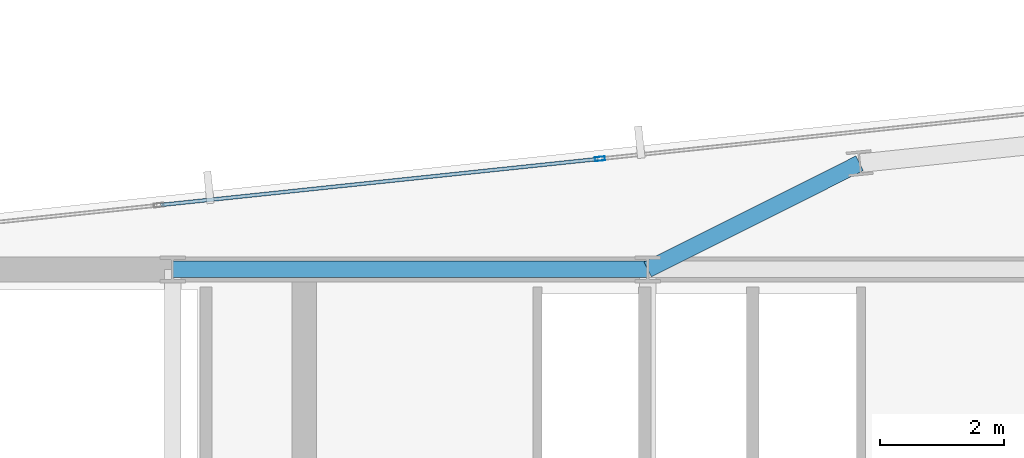
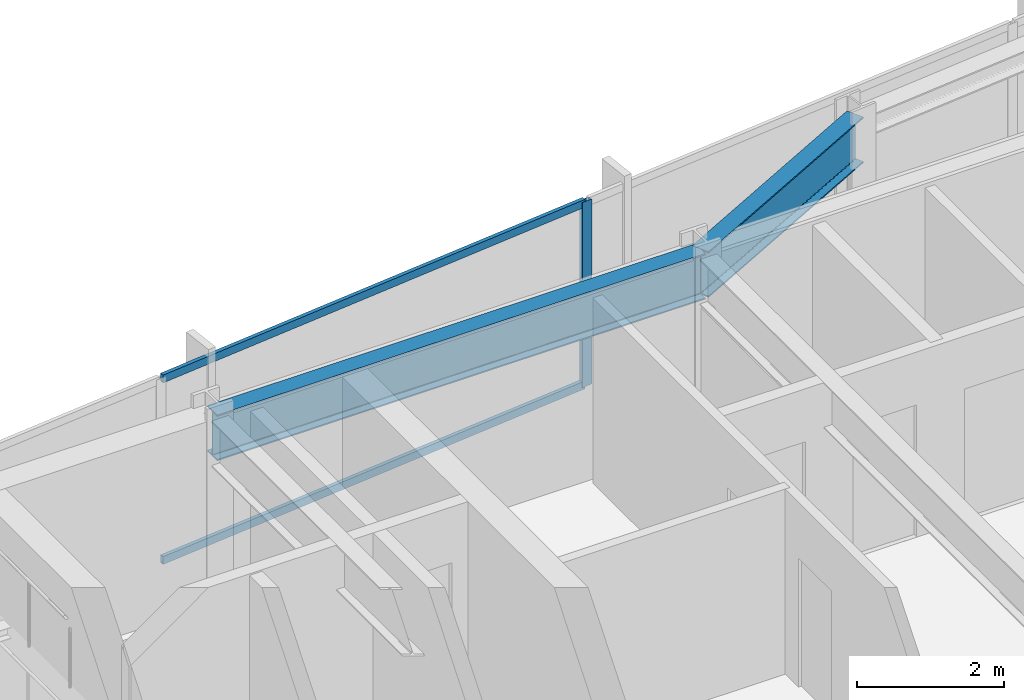
# One storey, part 21 of 32: 3 members, 2 beams, 1 element without a shape of its own.
"""IFC4 building model written with IfcOpenShell, lengths in metres."""

from ifc_helpers import new_model, si_unit, direction, frame, origin, origin_2d, place, context, subcontext, project, spatial, hollow_rectangle, i_section, extrude, material, material_profile, profile_set, type_object, element, aggregate, save


model = new_model("IFC4")

# Units and contexts
model_context = context("Model", 3, precision=1e-05, world=origin(), true_north=direction((0.0, 1.0)))
body_context = subcontext(model_context, "Body", "Model", "MODEL_VIEW")
ifc_project = project(units=[si_unit("LENGTHUNIT", "METRE"), si_unit("AREAUNIT", "SQUARE_METRE"), si_unit("VOLUMEUNIT", "CUBIC_METRE"), si_unit("PLANEANGLEUNIT", "RADIAN"), si_unit("MASSUNIT", "GRAM", prefix="KILO")], contexts=[model_context])

# Site, building, storey
site_placement = place(None, origin())
site = spatial("IfcSite", under=ifc_project, at=site_placement, CompositionType="ELEMENT")
building_placement = place(site_placement, origin())
building = spatial("IfcBuilding", under=site, at=building_placement, Name="Yelkora Congress Tower", CompositionType="ELEMENT")
storey_placement = place(building_placement, frame((0.0, 0.0, 211.10009765625)))
storey = spatial("IfcBuildingStorey", under=building, at=storey_placement, Name="L58", CompositionType="ELEMENT", Elevation=211.10009765625)

# Beams
ifc_material_1 = material(Name="Steel S355J2", Category="steel")
ifc_material_profile_1 = material_profile(ifc_material_1, i_section(OverallWidth=0.26708984375, OverallDepth=0.761962890625, WebThickness=0.014404296875, FlangeThickness=0.021484375, FilletRadius=0.01708984375, at=origin_2d()), Name="IPE 750x173")
ifc_profile_set_1 = profile_set([ifc_material_profile_1], Name="Steel S355J2")
beam_type = type_object("IfcBeamType", Name="BM-GIRD-IPE750", PredefinedType="BEAM", material=ifc_profile_set_1)
beam_1_placement = place(storey_placement, frame((30.719970703125, 46.199951171875, 2.698974609375), z_axis=(1.0, 0.0, 0.0), x_axis=(0.0, 1.0, 0.0)))
element("IfcBeam", 1, at=beam_1_placement, inside=storey, type_object=beam_type, Name="L58 Core North Girder 3", PredefinedType="BEAM", context=body_context, shape_type="SweptSolid", body=[
    extrude(i_section(OverallWidth=0.26708984375, OverallDepth=0.761962890625, WebThickness=0.014404296875, FlangeThickness=0.021484375, FilletRadius=0.01708984375, at=origin_2d()), origin(), (0.0, 0.0, 1.0), 7.679931640625),
])
beam_2_placement = place(storey_placement, frame((41.828125, 47.91748046875, 2.698974609375), z_axis=(-0.894070348256, -0.447926570288, 0.0), x_axis=(0.447926570288, -0.894070348256, 0.0)))
element("IfcBeam", 2, at=beam_2_placement, inside=storey, type_object=beam_type, Name="L58 Primary Frame Girder N04", PredefinedType="BEAM", context=body_context, shape_type="SweptSolid", body=[
    extrude(i_section(OverallWidth=0.26708984375, OverallDepth=0.761962890625, WebThickness=0.014404296875, FlangeThickness=0.021484375, FilletRadius=0.01708984375, at=origin_2d()), origin(), (0.0, 0.0, 1.0), 3.83447265625),
])

# Curtain wall, members
ifc_material_2 = material(Name="Anodised aluminium and insulated glass", Category="aluminium")
curtain_wall_type = type_object("IfcCurtainWallType", Name="CW-SYS-B4", PredefinedType="NOTDEFINED", material=ifc_material_2)
curtain_wall_placement = place(storey_placement, origin())
curtain_wall = element("IfcCurtainWall", 3, at=curtain_wall_placement, inside=storey, type_object=curtain_wall_type, Name="L58 Unitised Curtain Wall 10 (3)", PredefinedType="NOTDEFINED")
ifc_material_3 = material(Name="Anodised aluminium 6063-T6", Category="aluminium")
ifc_material_profile_2 = material_profile(ifc_material_3, hollow_rectangle(XDim=0.06494140625, YDim=0.159912109375, WallThickness=0.00390625, at=origin_2d()), Name="ALU 65x160x4")
ifc_profile_set_2 = profile_set([ifc_material_profile_2], Name="Anodised aluminium 6063-T6")
member_type_1 = type_object("IfcMemberType", Name="MEM-ML-B4", PredefinedType="MULLION", material=ifc_profile_set_2)
member_1_placement = place(storey_placement, frame((37.62744140625, 47.98876953125, 0.0), z_axis=(0.0, 0.0, 1.0), x_axis=(-0.104527724021, 0.994521973066, 0.0)))
member_1 = element("IfcMember", 4, at=member_1_placement, type_object=member_type_1, Name="CW-B4 mullion 3", PredefinedType="MULLION", context=body_context, shape_type="SweptSolid", body=[
    extrude(hollow_rectangle(XDim=0.06494140625, YDim=0.159912109375, WallThickness=0.00390625, at=origin_2d()), origin(), (0.0, 0.0, 1.0), 3.079833984375),
])
ifc_material_profile_3 = material_profile(ifc_material_3, hollow_rectangle(XDim=0.06005859375, YDim=0.1298828125, WallThickness=0.00390625, at=origin_2d()), Name="ALU 60x130x4")
ifc_profile_set_3 = profile_set([ifc_material_profile_3], Name="Anodised aluminium 6063-T6")
member_type_2 = type_object("IfcMemberType", Name="MEM-TR-B4", PredefinedType="USERDEFINED", material=ifc_profile_set_3)
member_2_placement = place(storey_placement, frame((30.529052734375, 47.24267578125, 0.02978515625), z_axis=(0.99452200925, 0.104527379751, 0.0), x_axis=(-0.104527379751, 0.99452200925, 0.0)))
member_2 = element("IfcMember", 5, at=member_2_placement, type_object=member_type_2, Name="CW-B4 transom 2.1", ObjectType="TRANSOM", PredefinedType="USERDEFINED", context=body_context, shape_type="SweptSolid", body=[
    extrude(hollow_rectangle(XDim=0.06005859375, YDim=0.1298828125, WallThickness=0.00390625, at=origin_2d()), origin(), (0.0, 0.0, 1.0), 7.10498046875),
])
member_3_placement = place(storey_placement, frame((30.529052734375, 47.24267578125, 3.0498046875), z_axis=(0.99452200925, 0.104527379751, 0.0), x_axis=(-0.104527379751, 0.99452200925, 0.0)))
member_3 = element("IfcMember", 6, at=member_3_placement, type_object=member_type_2, Name="CW-B4 transom 2.2", ObjectType="TRANSOM", PredefinedType="USERDEFINED", context=body_context, shape_type="SweptSolid", body=[
    extrude(hollow_rectangle(XDim=0.06005859375, YDim=0.1298828125, WallThickness=0.00390625, at=origin_2d()), origin(), (0.0, 0.0, 1.0), 7.10498046875),
])
aggregate(curtain_wall, [member_1, member_2, member_3])

save(model, "model.ifc")
